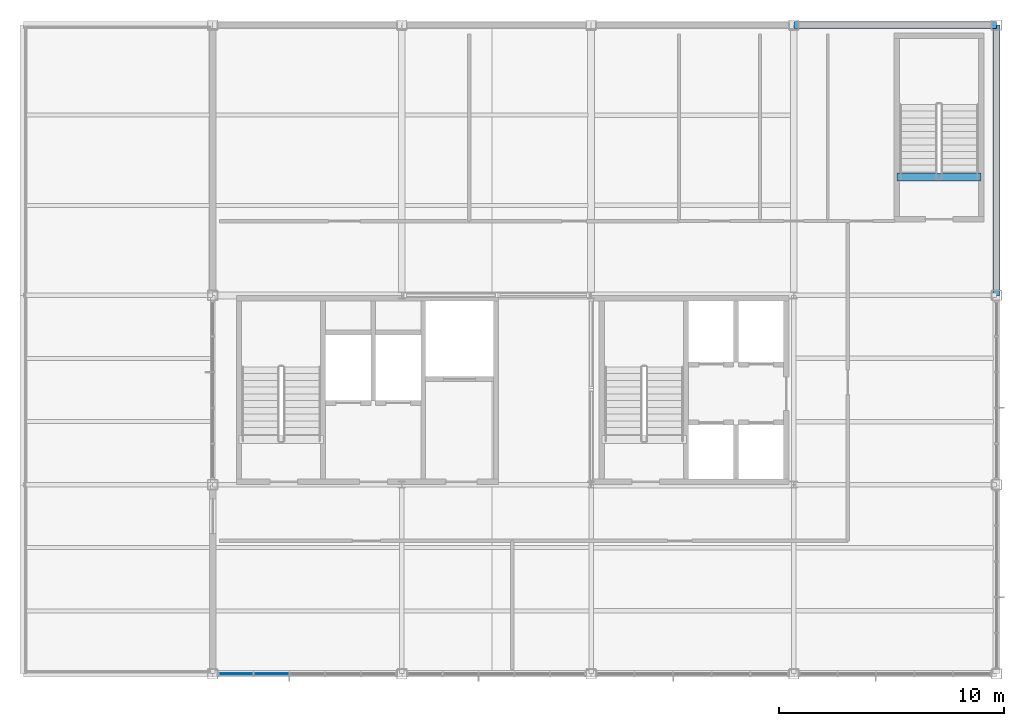
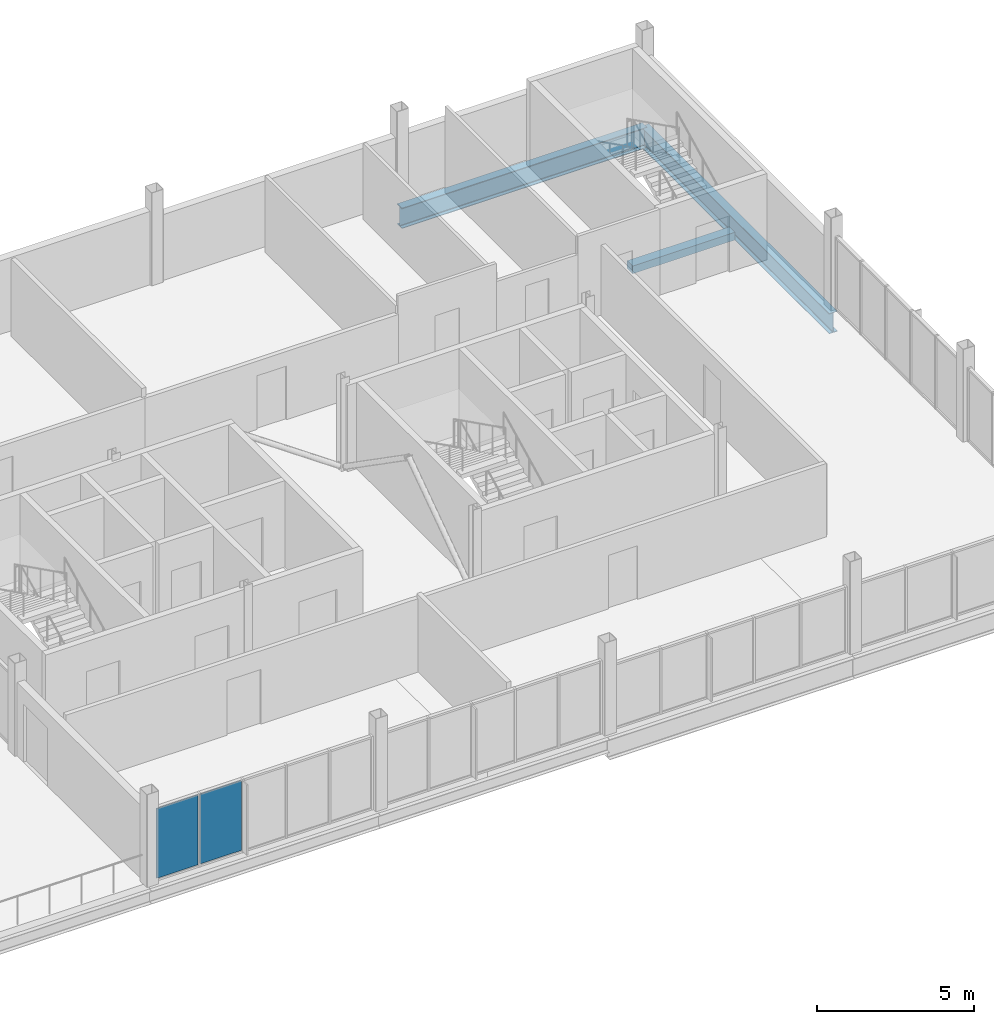
# One storey, part 7 of 14: 3 beams, 2 plates, 1 element without a shape of its own.
"""IFC4 building model written with IfcOpenShell, lengths in metres."""

from ifc_helpers import new_model, si_unit, direction, frame, origin, origin_2d, place, context, subcontext, project, spatial, rectangle, i_section, extrude, material, layer, layer_set, material_profile, profile_set, type_object, element, aggregate, save


model = new_model("IFC4")

# Units and contexts
model_context = context("Model", 3, precision=1e-05, world=origin(), true_north=direction((0.0, 1.0)))
body_context = subcontext(model_context, "Body", "Model", "MODEL_VIEW")
ifc_project = project(units=[si_unit("LENGTHUNIT", "METRE"), si_unit("AREAUNIT", "SQUARE_METRE"), si_unit("VOLUMEUNIT", "CUBIC_METRE"), si_unit("PLANEANGLEUNIT", "RADIAN"), si_unit("MASSUNIT", "GRAM", prefix="KILO")], contexts=[model_context])

# Site, building, storey
site_placement = place(None, origin())
site = spatial("IfcSite", under=ifc_project, at=site_placement, CompositionType="ELEMENT")
building_placement = place(site_placement, origin())
building = spatial("IfcBuilding", under=site, at=building_placement, Name="Yukiwa Park Conservatory and Herbarium", CompositionType="ELEMENT")
storey_placement = place(building_placement, frame((0.0, 0.0, 50.39990234375)))
storey = spatial("IfcBuildingStorey", under=building, at=storey_placement, Name="L13", CompositionType="ELEMENT", Elevation=50.39990234375)

# Beams
ifc_material_1 = material(Name="Steel Q355D", Category="steel")
ifc_material_profile_1 = material_profile(ifc_material_1, i_section(OverallWidth=0.300048828125, OverallDepth=0.7919921875, WebThickness=0.013916015625, FlangeThickness=0.02197265625, FilletRadius=0.028076171875, at=origin_2d()), Name="HN 792x300x14x22")
ifc_profile_set_1 = profile_set([ifc_material_profile_1], Name="Steel Q355D")
beam_type_1 = type_object("IfcBeamType", Name="BM-SPN-HN600", PredefinedType="SPANDREL", material=ifc_profile_set_1)
beam_1_placement = place(storey_placement, frame((159.006103515625, 115.199951171875, -0.657958984375), z_axis=(1.0, 0.0, 0.0), x_axis=(0.0, 1.0, 0.0)))
element("IfcBeam", 1, at=beam_1_placement, inside=storey, type_object=beam_type_1, Name="L13 spandrel beam X-20", PredefinedType="SPANDREL", context=body_context, shape_type="SweptSolid", body=[
    extrude(i_section(OverallWidth=0.300048828125, OverallDepth=0.7919921875, WebThickness=0.013916015625, FlangeThickness=0.02197265625, FilletRadius=0.028076171875, at=origin_2d()), origin(), (0.0, 0.0, 1.0), 8.98779296875),
])
beam_2_placement = place(storey_placement, frame((168.0, 103.2060546875, -0.657958984375), z_axis=(0.0, 1.0, 0.0), x_axis=(-1.0, 0.0, 0.0)))
element("IfcBeam", 2, at=beam_2_placement, inside=storey, type_object=beam_type_1, Name="L13 spandrel girder Y-37", PredefinedType="SPANDREL", context=body_context, shape_type="SweptSolid", body=[
    extrude(i_section(OverallWidth=0.300048828125, OverallDepth=0.7919921875, WebThickness=0.013916015625, FlangeThickness=0.02197265625, FilletRadius=0.028076171875, at=origin_2d()), origin(), (0.0, 0.0, 1.0), 11.988037109375),
])
ifc_material_2 = material(Name="Concrete C40", Category="concrete")
ifc_material_profile_2 = material_profile(ifc_material_2, rectangle(XDim=0.35009765625, YDim=0.300048828125, at=origin_2d()), Name="RC 350x300")
ifc_profile_set_2 = profile_set([ifc_material_profile_2], Name="Concrete C40")
beam_type_2 = type_object("IfcBeamType", Name="BM-STAIR-TRIM", PredefinedType="BEAM", material=ifc_profile_set_2)
beam_3_placement = place(storey_placement, frame((163.570068359375, 108.4599609375, -0.14990234375), z_axis=(1.0, 0.0, 0.0), x_axis=(0.0, 1.0, 0.0)))
element("IfcBeam", 3, at=beam_3_placement, inside=storey, type_object=beam_type_2, Name="Stair ST-T3 L13 landing trimmer beam", PredefinedType="BEAM", context=body_context, shape_type="SweptSolid", body=[
    extrude(rectangle(XDim=0.35009765625, YDim=0.300048828125, at=origin_2d()), origin(), (0.0, 0.0, 1.0), 3.75),
])

# Curtain wall, plates
ifc_material_3 = material(Name="Triple Low-E Insulated Glass", Category="glass")
ifc_layer_1 = layer(ifc_material_3, 0.27197265625)
ifc_layer_set_1 = layer_set([ifc_layer_1], Name="Triple Low-E Insulated Glass")
curtain_wall_type = type_object("IfcCurtainWallType", Name="CW-TOWER-LIB-1600", PredefinedType="NOTDEFINED", material=ifc_layer_set_1)
curtain_wall_placement = place(storey_placement, origin())
curtain_wall = element("IfcCurtainWall", 4, at=curtain_wall_placement, inside=storey, type_object=curtain_wall_type, Name="L13 unitised curtain wall CW-L13-129", PredefinedType="NOTDEFINED")
ifc_material_4 = material(Name="Triple Low-E Insulated Glass", Category="glass")
ifc_layer_2 = layer(ifc_material_4, 0.035888671875)
ifc_layer_set_2 = layer_set([ifc_layer_2], Name="Triple Low-E Insulated Glass")
plate_type = type_object("IfcPlateType", Name="PL-CW-GLZ-36", PredefinedType="CURTAIN_PANEL", material=ifc_layer_set_2)
plate_1_placement = place(storey_placement, frame((134.219970703125, 86.39990234375, 0.070068359375), z_axis=(0.0, 0.0, 1.0), x_axis=(1.0, 0.0, 0.0)))
plate_1 = element("IfcPlate", 5, at=plate_1_placement, type_object=plate_type, Name="CW-L13-129 vision panel 1.1", PredefinedType="CURTAIN_PANEL", context=body_context, shape_type="SweptSolid", body=[
    extrude(rectangle(XDim=1.52001953125, YDim=0.035888671875, at=origin_2d()), origin(), (0.0, 0.0, 1.0), 2.7060546875),
])
plate_2_placement = place(storey_placement, frame((135.81005859375, 86.39990234375, 0.070068359375), z_axis=(0.0, 0.0, 1.0), x_axis=(1.0, 0.0, 0.0)))
plate_2 = element("IfcPlate", 6, at=plate_2_placement, type_object=plate_type, Name="CW-L13-129 vision panel 2.1", PredefinedType="CURTAIN_PANEL", context=body_context, shape_type="SweptSolid", body=[
    extrude(rectangle(XDim=1.52001953125, YDim=0.035888671875, at=origin_2d()), origin(), (0.0, 0.0, 1.0), 2.7060546875),
])
aggregate(curtain_wall, [plate_1, plate_2])

save(model, "model.ifc")
